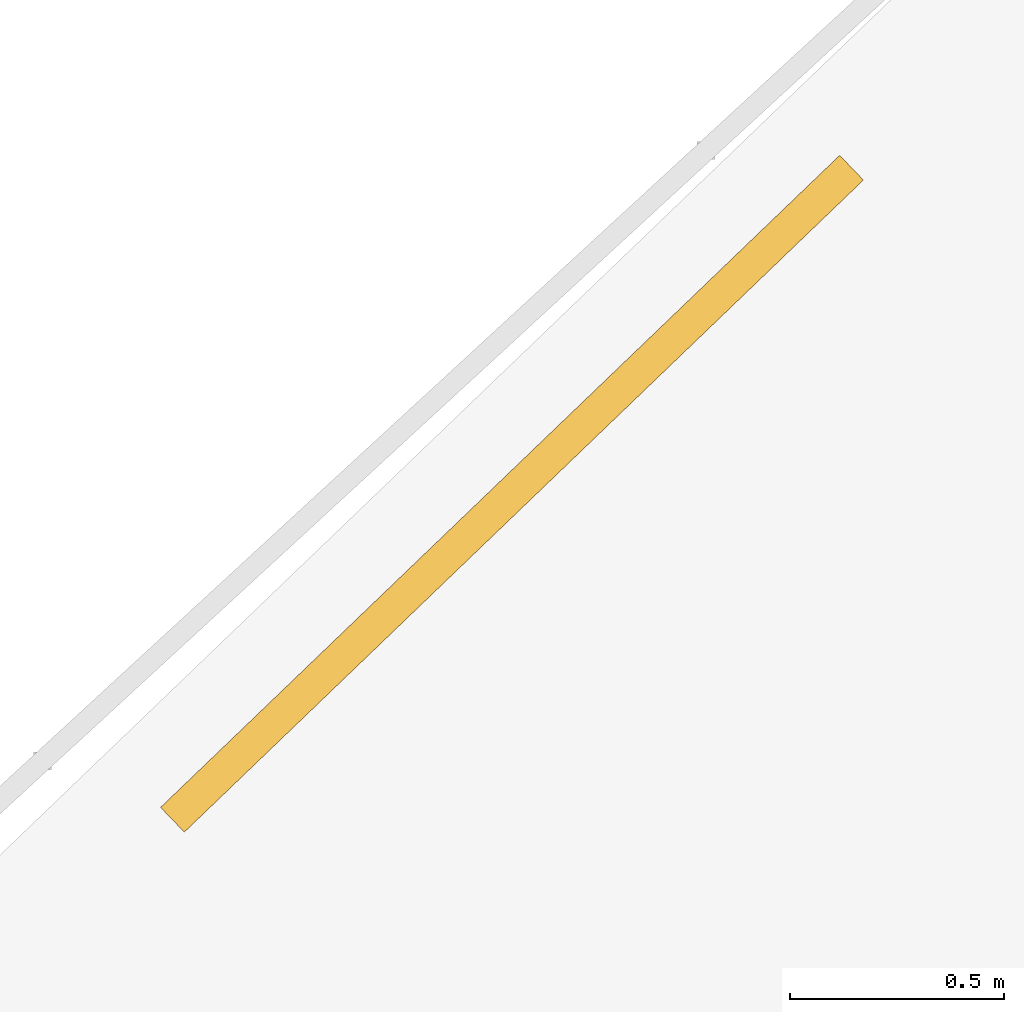
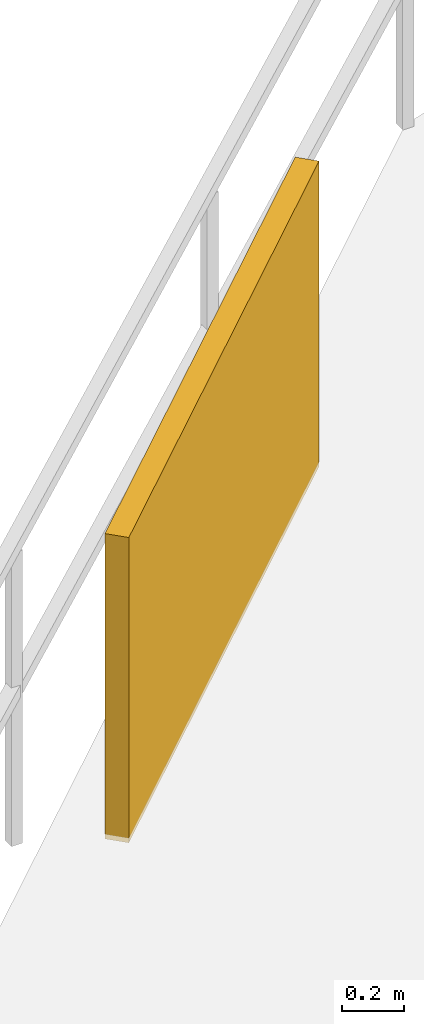
# One storey, part 29 of 30: 1 shading device.
"""IFC4 building model written with IfcOpenShell, lengths in metres."""

from ifc_helpers import new_model, si_unit, direction, frame, origin, origin_2d, place, context, subcontext, project, spatial, rectangle, extrude, material, type_object, element, save


model = new_model("IFC4")

# Units and contexts
model_context = context("Model", 3, precision=1e-05, world=origin(), true_north=direction((0.0, 1.0)))
body_context = subcontext(model_context, "Body", "Model", "MODEL_VIEW")
ifc_project = project(units=[si_unit("LENGTHUNIT", "METRE"), si_unit("AREAUNIT", "SQUARE_METRE"), si_unit("VOLUMEUNIT", "CUBIC_METRE"), si_unit("PLANEANGLEUNIT", "RADIAN"), si_unit("MASSUNIT", "GRAM", prefix="KILO")], contexts=[model_context])

# Site, building, storey
site_placement = place(None, origin())
site = spatial("IfcSite", under=ifc_project, at=site_placement, CompositionType="ELEMENT")
building_placement = place(site_placement, origin())
building = spatial("IfcBuilding", under=site, at=building_placement, Name="Vorneva Point Tower", CompositionType="ELEMENT")
storey_placement = place(building_placement, frame((0.0, 0.0, 92.800048828125)))
storey = spatial("IfcBuildingStorey", under=building, at=storey_placement, Name="L24", CompositionType="ELEMENT", Elevation=92.800048828125)

# Shading device
ifc_material = material(Name="Pale anodised aluminium", Category="aluminium")
shading_device_type = type_object("IfcShadingDeviceType", Name="SHD-JAL-1200", PredefinedType="JALOUSIE", material=ifc_material)
shading_device_placement = place(storey_placement, frame((20.1845703125, 42.6591796875, -0.02001953125), z_axis=(0.0, 0.0, 1.0), x_axis=(-0.721349375015, -0.692571353122, 0.0)))
element("IfcShadingDevice", 1, at=shading_device_placement, inside=storey, type_object=shading_device_type, Name="L24 Balcony Vertical-Greenery Planter Screen NW.2", PredefinedType="JALOUSIE", context=body_context, shape_type="SweptSolid", body=[
    extrude(rectangle(XDim=2.199951171875, YDim=0.080078125, at=origin_2d()), origin(), (0.0, 0.0, 1.0), 1.199951171875),
])

save(model, "model.ifc")
